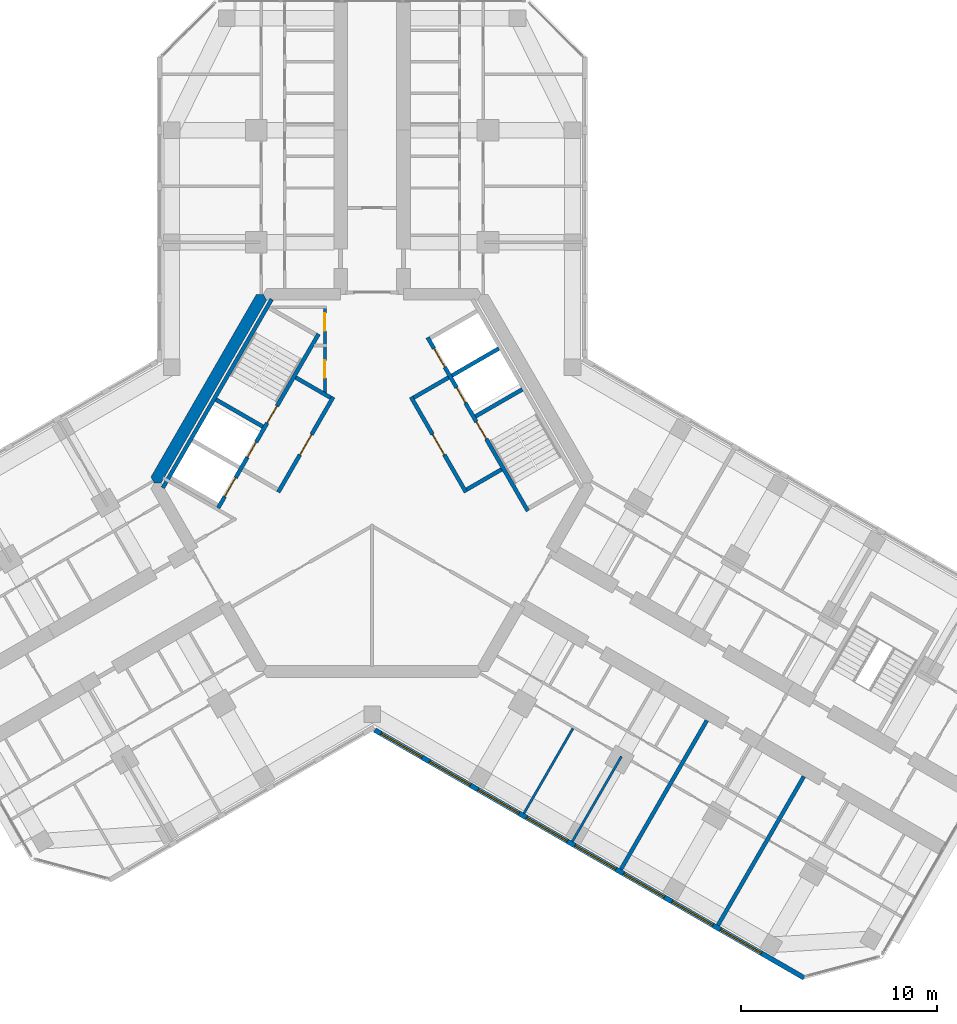
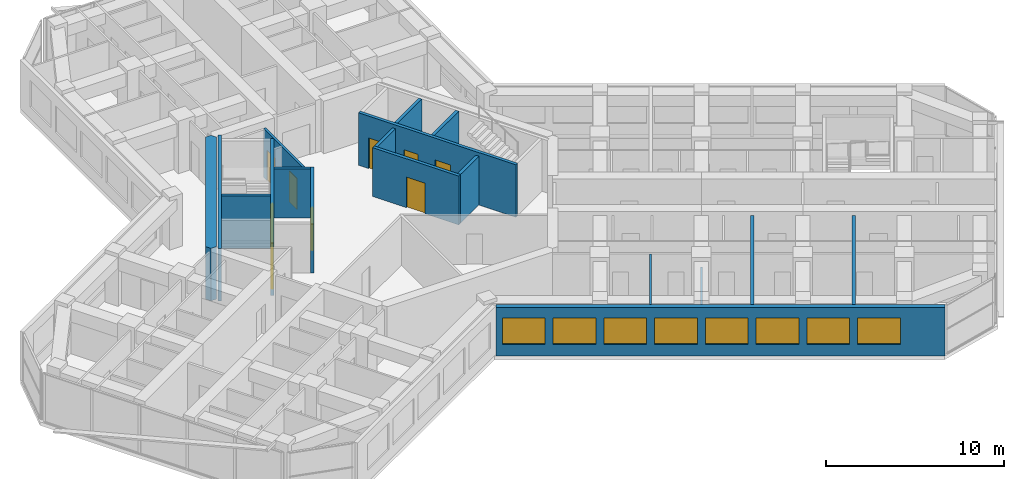
# One storey, part 10 of 16: 18 walls, 10 doors, 8 windows, 18 openings.
"""IFC4 building model written with IfcOpenShell, lengths in metres."""

from ifc_helpers import new_model, si_unit, direction, frame, frame_2d, origin, place, context, subcontext, project, spatial, polyline, rectangle, outline, extrude, material, layer, layer_set, type_object, element, fill, save


model = new_model("IFC4")

# Units and contexts
model_context = context("Model", 3, precision=1e-05, world=origin(), true_north=direction((0.0, 1.0)))
body_context = subcontext(model_context, "Body", "Model", "MODEL_VIEW")
ifc_project = project(units=[si_unit("LENGTHUNIT", "METRE"), si_unit("AREAUNIT", "SQUARE_METRE"), si_unit("VOLUMEUNIT", "CUBIC_METRE"), si_unit("PLANEANGLEUNIT", "RADIAN"), si_unit("MASSUNIT", "GRAM", prefix="KILO")], contexts=[model_context])

# Site, building, storey
site_placement = place(None, origin())
site = spatial("IfcSite", under=ifc_project, at=site_placement, CompositionType="ELEMENT")
building_placement = place(site_placement, origin())
building = spatial("IfcBuilding", under=site, at=building_placement, Name="Kosmar Iwan School Tower", CompositionType="ELEMENT")
storey_placement = place(building_placement, frame((0.0, 0.0, 231.60009765625)))
storey = spatial("IfcBuildingStorey", under=building, at=storey_placement, Name="L58", CompositionType="ELEMENT", Elevation=231.60009765625)

# Wall, openings, doors
ifc_material_1 = material(Name="Gypsum board on steel studs, fire-rated", Category="steel")
ifc_layer_1 = layer(ifc_material_1, 0.14990234375)
ifc_layer_set_1 = layer_set([ifc_layer_1], Name="Core room partition 150")
wall_type_1 = type_object("IfcWallType", Name="Core room partition 150", PredefinedType="PARTITIONING", material=ifc_layer_set_1)
wall_1_placement = place(storey_placement, frame((-2.39990234375, 9.014892578125, 0.0), z_axis=(0.0, 0.0, 1.0), x_axis=(0.0, -1.0, 0.0)))
wall_1 = element("IfcWall", 1, at=wall_1_placement, inside=storey, type_object=wall_type_1, Name="Core room partition L58-CW1", PredefinedType="PARTITIONING", context=body_context, shape_type="SweptSolid", body=[
    extrude(rectangle(XDim=4.484130859375, YDim=0.14990234375, at=frame_2d((2.2421875, 0.0))), origin(), (0.0, 0.0, 1.0), 3.349853515625),
])
opening_1_placement = place(wall_1_placement, frame((0.375, 0.0, 0.0)))
opening_1 = element("IfcOpeningElement", 2, at=opening_1_placement, cuts=wall_1, Name="Opening D14", PredefinedType="OPENING", context=body_context, shape_type="SweptSolid", body=[
    extrude(rectangle(XDim=0.89990234375, YDim=2.10009765625, at=frame_2d((0.449951171875, 1.050048828125))), frame((0.0, 0.0869140625, 0.0), z_axis=(0.0, -1.0, 0.0), x_axis=(1.0, 0.0, 0.0)), (0.0, 0.0, 1.0), 0.173828125),
])
opening_2_placement = place(wall_1_placement, frame((2.77490234375, 0.0, 0.0)))
opening_2 = element("IfcOpeningElement", 3, at=opening_2_placement, cuts=wall_1, Name="Opening D14", PredefinedType="OPENING", context=body_context, shape_type="SweptSolid", body=[
    extrude(rectangle(XDim=0.89990234375, YDim=2.10009765625, at=frame_2d((0.449951171875, 1.050048828125))), frame((0.0, 0.0869140625, 0.0), z_axis=(0.0, -1.0, 0.0), x_axis=(1.0, 0.0, 0.0)), (0.0, 0.0, 1.0), 0.173828125),
])
ifc_material_2 = material(Name="Timber fire door in steel frame", Category="steel")
door_type_1 = type_object("IfcDoorType", Name="Core room door 900x2100", OperationType="SINGLE_SWING_LEFT", PredefinedType="DOOR", material=ifc_material_2)
door_1_placement = place(opening_1_placement, origin())
door_1 = element("IfcDoor", 4, at=door_1_placement, inside=storey, type_object=door_type_1, Name="Electrical riser and switch room door L58 1", OperationType="SINGLE_SWING_LEFT", OverallHeight=2.10009765625, OverallWidth=0.89990234375, PredefinedType="DOOR", context=body_context, shape_type="SweptSolid", body=[
    extrude(rectangle(XDim=0.89990234375, YDim=2.10009765625, at=frame_2d((0.449951171875, 1.050048828125))), frame((0.0, 0.02490234375, 0.0), z_axis=(0.0, -1.0, 0.0), x_axis=(1.0, 0.0, 0.0)), (0.0, 0.0, 1.0), 0.050048828125),
])
fill(opening_1, door_1)
door_2_placement = place(opening_2_placement, origin())
door_2 = element("IfcDoor", 5, at=door_2_placement, inside=storey, type_object=door_type_1, Name="Plumbing and wet riser door L58 2", OperationType="SINGLE_SWING_RIGHT", OverallHeight=2.10009765625, OverallWidth=0.89990234375, PredefinedType="DOOR", context=body_context, shape_type="SweptSolid", body=[
    extrude(rectangle(XDim=0.89990234375, YDim=2.10009765625, at=frame_2d((0.449951171875, 1.050048828125))), frame((0.0, 0.02490234375, 0.0), z_axis=(0.0, -1.0, 0.0), x_axis=(1.0, 0.0, 0.0)), (0.0, 0.0, 1.0), 0.050048828125),
])
fill(opening_2, door_2)

# Walls
ifc_material_3 = material(Name="Concrete C50/60", Category="concrete")
ifc_layer_2 = layer(ifc_material_3, 0.60009765625)
ifc_layer_set_2 = layer_set([ifc_layer_2], Name="Core wall 600")
wall_type_2 = type_object("IfcWallType", Name="Core wall 600", PredefinedType="SHEAR", material=ifc_layer_set_2)
wall_2_placement = place(storey_placement, origin())
element("IfcWall", 6, at=wall_2_placement, inside=storey, type_object=wall_type_2, Name="Core wall F150", PredefinedType="SHEAR", context=body_context, shape_type="SweptSolid", body=[
    extrude(outline(polyline([(-11.085205078125, 0.0), (-10.73876953125, 0.0), (-5.369384765625, 9.300048828125), (-5.54248046875, 9.60009765625), (-5.888916015625, 9.60009765625), (-11.25830078125, 0.300048828125), (-11.085205078125, 0.0)])), origin(), (0.0, 0.0, 1.0), 3.599853515625),
])
ifc_material_4 = material(Name="Gypsum board on steel studs", Category="steel")
ifc_layer_3 = layer(ifc_material_4, 0.1201171875)
ifc_layer_set_3 = layer_set([ifc_layer_3], Name="Dwelling partition 120")
wall_type_3 = type_object("IfcWallType", Name="Dwelling partition 120", PredefinedType="PARTITIONING", material=ifc_layer_set_3)
wall_3_placement = place(storey_placement, frame((10.221923828125, -12.4951171875, 0.0), z_axis=(0.0, 0.0, 1.0), x_axis=(-0.499996339024, -0.86602751744, 0.0)))
element("IfcWall", 7, at=wall_3_placement, inside=storey, type_object=wall_type_3, Name="Partition L58-CR1-X1", PredefinedType="PARTITIONING", context=body_context, shape_type="SweptSolid", body=[
    extrude(rectangle(XDim=4.98974609375, YDim=0.1201171875, at=frame_2d((2.494873046875, 0.0))), origin(), (0.0, 0.0, 1.0), 3.349853515625),
])
wall_4_placement = place(storey_placement, frame((12.690185546875, -13.919921875, 0.0), z_axis=(0.0, 0.0, 1.0), x_axis=(-0.500011847778, -0.866018563358, 0.0)))
element("IfcWall", 8, at=wall_4_placement, inside=storey, type_object=wall_type_3, Name="Partition L58-CR1-X2", PredefinedType="PARTITIONING", context=body_context, shape_type="SweptSolid", body=[
    extrude(rectangle(XDim=4.990234375, YDim=0.1201171875, at=frame_2d((2.4951171875, 0.0))), origin(), (0.0, 0.0, 1.0), 2.449951171875),
])

# Wall, openings, windows
ifc_material_5 = material(Name="Black aluminium rainscreen on insulated framing", Category="aluminium")
ifc_layer_4 = layer(ifc_material_5, 0.25)
ifc_layer_set_4 = layer_set([ifc_layer_4], Name="External wall rainscreen 250")
wall_type_4 = type_object("IfcWallType", Name="External wall rainscreen 250", PredefinedType="SOLIDWALL", material=ifc_layer_set_4)
wall_5_placement = place(storey_placement, frame((0.137939453125, -12.5791015625, 0.0), z_axis=(0.0, 0.0, 1.0), x_axis=(0.866023775649, -0.500002820003, 0.0)))
wall_5 = element("IfcWall", 9, at=wall_5_placement, inside=storey, type_object=wall_type_4, Name="External wall CR L58", PredefinedType="SOLIDWALL", context=body_context, shape_type="SweptSolid", body=[
    extrude(rectangle(XDim=25.226318359375, YDim=0.25, at=frame_2d((12.61328125, 0.0))), origin(), (0.0, 0.0, 1.0), 3.349853515625),
])
opening_3_placement = place(wall_5_placement, frame((0.365966796875, 0.0, 0.800048828125)))
opening_3 = element("IfcOpeningElement", 10, at=opening_3_placement, cuts=wall_5, Name="Opening W5", PredefinedType="OPENING", context=body_context, shape_type="SweptSolid", body=[
    extrude(rectangle(XDim=2.39990234375, YDim=1.800048828125, at=frame_2d((1.199951171875, 0.89990234375))), frame((0.0, 0.136962890625, 0.0), z_axis=(0.0, -1.0, 0.0), x_axis=(1.0, 0.0, 0.0)), (0.0, 0.0, 1.0), 0.27392578125),
])
opening_4_placement = place(wall_5_placement, frame((3.216064453125, 0.0, 0.800048828125)))
opening_4 = element("IfcOpeningElement", 11, at=opening_4_placement, cuts=wall_5, Name="Opening W5", PredefinedType="OPENING", context=body_context, shape_type="SweptSolid", body=[
    extrude(rectangle(XDim=2.39990234375, YDim=1.800048828125, at=frame_2d((1.199951171875, 0.89990234375))), frame((0.0, 0.136962890625, 0.0), z_axis=(0.0, -1.0, 0.0), x_axis=(1.0, 0.0, 0.0)), (0.0, 0.0, 1.0), 0.27392578125),
])
opening_5_placement = place(wall_5_placement, frame((6.06591796875, 0.0, 0.800048828125)))
opening_5 = element("IfcOpeningElement", 12, at=opening_5_placement, cuts=wall_5, Name="Opening W5", PredefinedType="OPENING", context=body_context, shape_type="SweptSolid", body=[
    extrude(rectangle(XDim=2.39990234375, YDim=1.800048828125, at=frame_2d((1.199951171875, 0.89990234375))), frame((0.0, 0.136962890625, 0.0), z_axis=(0.0, -1.0, 0.0), x_axis=(1.0, 0.0, 0.0)), (0.0, 0.0, 1.0), 0.27392578125),
])
opening_6_placement = place(wall_5_placement, frame((8.916015625, 0.0, 0.800048828125)))
opening_6 = element("IfcOpeningElement", 13, at=opening_6_placement, cuts=wall_5, Name="Opening W5", PredefinedType="OPENING", context=body_context, shape_type="SweptSolid", body=[
    extrude(rectangle(XDim=2.39990234375, YDim=1.800048828125, at=frame_2d((1.199951171875, 0.89990234375))), frame((0.0, 0.136962890625, 0.0), z_axis=(0.0, -1.0, 0.0), x_axis=(1.0, 0.0, 0.0)), (0.0, 0.0, 1.0), 0.27392578125),
])
opening_7_placement = place(wall_5_placement, frame((11.76611328125, 0.0, 0.800048828125)))
opening_7 = element("IfcOpeningElement", 14, at=opening_7_placement, cuts=wall_5, Name="Opening W5", PredefinedType="OPENING", context=body_context, shape_type="SweptSolid", body=[
    extrude(rectangle(XDim=2.39990234375, YDim=1.800048828125, at=frame_2d((1.199951171875, 0.89990234375))), frame((0.0, 0.136962890625, 0.0), z_axis=(0.0, -1.0, 0.0), x_axis=(1.0, 0.0, 0.0)), (0.0, 0.0, 1.0), 0.27392578125),
])
opening_8_placement = place(wall_5_placement, frame((14.615966796875, 0.0, 0.800048828125)))
opening_8 = element("IfcOpeningElement", 15, at=opening_8_placement, cuts=wall_5, Name="Opening W5", PredefinedType="OPENING", context=body_context, shape_type="SweptSolid", body=[
    extrude(rectangle(XDim=2.39990234375, YDim=1.800048828125, at=frame_2d((1.199951171875, 0.89990234375))), frame((0.0, 0.136962890625, 0.0), z_axis=(0.0, -1.0, 0.0), x_axis=(1.0, 0.0, 0.0)), (0.0, 0.0, 1.0), 0.27392578125),
])
opening_9_placement = place(wall_5_placement, frame((17.466064453125, 0.0, 0.800048828125)))
opening_9 = element("IfcOpeningElement", 16, at=opening_9_placement, cuts=wall_5, Name="Opening W5", PredefinedType="OPENING", context=body_context, shape_type="SweptSolid", body=[
    extrude(rectangle(XDim=2.39990234375, YDim=1.800048828125, at=frame_2d((1.199951171875, 0.89990234375))), frame((0.0, 0.136962890625, 0.0), z_axis=(0.0, -1.0, 0.0), x_axis=(1.0, 0.0, 0.0)), (0.0, 0.0, 1.0), 0.27392578125),
])
opening_10_placement = place(wall_5_placement, frame((20.31591796875, 0.0, 0.800048828125)))
opening_10 = element("IfcOpeningElement", 17, at=opening_10_placement, cuts=wall_5, Name="Opening W5", PredefinedType="OPENING", context=body_context, shape_type="SweptSolid", body=[
    extrude(rectangle(XDim=2.39990234375, YDim=1.800048828125, at=frame_2d((1.199951171875, 0.89990234375))), frame((0.0, 0.136962890625, 0.0), z_axis=(0.0, -1.0, 0.0), x_axis=(1.0, 0.0, 0.0)), (0.0, 0.0, 1.0), 0.27392578125),
])
ifc_material_6 = material(Name="Black aluminium frame with dark triple glazing", Category="aluminium")
window_type = type_object("IfcWindowType", Name="Window 2400x1800", PartitioningType="SINGLE_PANEL", PredefinedType="WINDOW", material=ifc_material_6)
window_1_placement = place(opening_3_placement, origin())
window_1 = element("IfcWindow", 18, at=window_1_placement, inside=storey, type_object=window_type, Name="Window CR L58 -1", OverallHeight=1.800048828125, OverallWidth=2.39990234375, PartitioningType="SINGLE_PANEL", PredefinedType="WINDOW", context=body_context, shape_type="SweptSolid", body=[
    extrude(rectangle(XDim=2.39990234375, YDim=1.800048828125, at=frame_2d((1.199951171875, 0.89990234375))), frame((0.0, 0.030029296875, 0.0), z_axis=(0.0, -1.0, 0.0), x_axis=(1.0, 0.0, 0.0)), (0.0, 0.0, 1.0), 0.06005859375),
])
fill(opening_3, window_1)
window_2_placement = place(opening_4_placement, origin())
window_2 = element("IfcWindow", 19, at=window_2_placement, inside=storey, type_object=window_type, Name="Window CR L58 0", OverallHeight=1.800048828125, OverallWidth=2.39990234375, PartitioningType="SINGLE_PANEL", PredefinedType="WINDOW", context=body_context, shape_type="SweptSolid", body=[
    extrude(rectangle(XDim=2.39990234375, YDim=1.800048828125, at=frame_2d((1.199951171875, 0.89990234375))), frame((0.0, 0.030029296875, 0.0), z_axis=(0.0, -1.0, 0.0), x_axis=(1.0, 0.0, 0.0)), (0.0, 0.0, 1.0), 0.06005859375),
])
fill(opening_4, window_2)
window_3_placement = place(opening_5_placement, origin())
window_3 = element("IfcWindow", 20, at=window_3_placement, inside=storey, type_object=window_type, Name="Window CR L58 1", OverallHeight=1.800048828125, OverallWidth=2.39990234375, PartitioningType="SINGLE_PANEL", PredefinedType="WINDOW", context=body_context, shape_type="SweptSolid", body=[
    extrude(rectangle(XDim=2.39990234375, YDim=1.800048828125, at=frame_2d((1.199951171875, 0.89990234375))), frame((0.0, 0.030029296875, 0.0), z_axis=(0.0, -1.0, 0.0), x_axis=(1.0, 0.0, 0.0)), (0.0, 0.0, 1.0), 0.06005859375),
])
fill(opening_5, window_3)
window_4_placement = place(opening_6_placement, origin())
window_4 = element("IfcWindow", 21, at=window_4_placement, inside=storey, type_object=window_type, Name="Window CR L58 2", OverallHeight=1.800048828125, OverallWidth=2.39990234375, PartitioningType="SINGLE_PANEL", PredefinedType="WINDOW", context=body_context, shape_type="SweptSolid", body=[
    extrude(rectangle(XDim=2.39990234375, YDim=1.800048828125, at=frame_2d((1.199951171875, 0.89990234375))), frame((0.0, 0.030029296875, 0.0), z_axis=(0.0, -1.0, 0.0), x_axis=(1.0, 0.0, 0.0)), (0.0, 0.0, 1.0), 0.06005859375),
])
fill(opening_6, window_4)
window_5_placement = place(opening_7_placement, origin())
window_5 = element("IfcWindow", 22, at=window_5_placement, inside=storey, type_object=window_type, Name="Window CR L58 3", OverallHeight=1.800048828125, OverallWidth=2.39990234375, PartitioningType="SINGLE_PANEL", PredefinedType="WINDOW", context=body_context, shape_type="SweptSolid", body=[
    extrude(rectangle(XDim=2.39990234375, YDim=1.800048828125, at=frame_2d((1.199951171875, 0.89990234375))), frame((0.0, 0.030029296875, 0.0), z_axis=(0.0, -1.0, 0.0), x_axis=(1.0, 0.0, 0.0)), (0.0, 0.0, 1.0), 0.06005859375),
])
fill(opening_7, window_5)
window_6_placement = place(opening_8_placement, origin())
window_6 = element("IfcWindow", 23, at=window_6_placement, inside=storey, type_object=window_type, Name="Window CR L58 4", OverallHeight=1.800048828125, OverallWidth=2.39990234375, PartitioningType="SINGLE_PANEL", PredefinedType="WINDOW", context=body_context, shape_type="SweptSolid", body=[
    extrude(rectangle(XDim=2.39990234375, YDim=1.800048828125, at=frame_2d((1.199951171875, 0.89990234375))), frame((0.0, 0.030029296875, 0.0), z_axis=(0.0, -1.0, 0.0), x_axis=(1.0, 0.0, 0.0)), (0.0, 0.0, 1.0), 0.06005859375),
])
fill(opening_8, window_6)
window_7_placement = place(opening_9_placement, origin())
window_7 = element("IfcWindow", 24, at=window_7_placement, inside=storey, type_object=window_type, Name="Window CR L58 5", OverallHeight=1.800048828125, OverallWidth=2.39990234375, PartitioningType="SINGLE_PANEL", PredefinedType="WINDOW", context=body_context, shape_type="SweptSolid", body=[
    extrude(rectangle(XDim=2.39990234375, YDim=1.800048828125, at=frame_2d((1.199951171875, 0.89990234375))), frame((0.0, 0.030029296875, 0.0), z_axis=(0.0, -1.0, 0.0), x_axis=(1.0, 0.0, 0.0)), (0.0, 0.0, 1.0), 0.06005859375),
])
fill(opening_9, window_7)
window_8_placement = place(opening_10_placement, origin())
window_8 = element("IfcWindow", 25, at=window_8_placement, inside=storey, type_object=window_type, Name="Window CR L58 6", OverallHeight=1.800048828125, OverallWidth=2.39990234375, PartitioningType="SINGLE_PANEL", PredefinedType="WINDOW", context=body_context, shape_type="SweptSolid", body=[
    extrude(rectangle(XDim=2.39990234375, YDim=1.800048828125, at=frame_2d((1.199951171875, 0.89990234375))), frame((0.0, 0.030029296875, 0.0), z_axis=(0.0, -1.0, 0.0), x_axis=(1.0, 0.0, 0.0)), (0.0, 0.0, 1.0), 0.06005859375),
])
fill(opening_10, window_8)

# Wall, opening, door
ifc_material_7 = material(Name="Concrete block masonry", Category="masonry")
ifc_layer_5 = layer(ifc_material_7, 0.199951171875)
ifc_layer_set_5 = layer_set([ifc_layer_5], Name="Fire lobby wall 200")
wall_type_5 = type_object("IfcWallType", Name="Fire lobby wall 200", PredefinedType="PARTITIONING", material=ifc_layer_set_5)
wall_6_placement = place(storey_placement, frame((-1.9775390625, 4.374755859375, 0.0), z_axis=(0.0, 0.0, 1.0), x_axis=(-0.500016814911, -0.866015695474, 0.0)))
wall_6 = element("IfcWall", 26, at=wall_6_placement, inside=storey, type_object=wall_type_5, Name="Firefighting lobby wall ST2", PredefinedType="PARTITIONING", context=body_context, shape_type="SweptSolid", body=[
    extrude(rectangle(XDim=5.599853515625, YDim=0.199951171875, at=frame_2d((2.7998046875, 0.0))), origin(), (0.0, 0.0, 1.0), 3.349853515625),
])
opening_11_placement = place(wall_6_placement, frame((2.199951171875, 0.0, 0.0)))
opening_11 = element("IfcOpeningElement", 27, at=opening_11_placement, cuts=wall_6, Name="Opening D7", PredefinedType="OPENING", context=body_context, shape_type="SweptSolid", body=[
    extrude(rectangle(XDim=1.199951171875, YDim=2.10009765625, at=frame_2d((0.60009765625, 1.050048828125))), frame((0.0, 0.112060546875, 0.0), z_axis=(0.0, -1.0, 0.0), x_axis=(1.0, 0.0, 0.0)), (0.0, 0.0, 1.0), 0.223876953125),
])
ifc_material_8 = material(Name="Steel fire door", Category="steel")
door_type_2 = type_object("IfcDoorType", Name="Fire lobby door 1200x2100", OperationType="SINGLE_SWING_LEFT", PredefinedType="DOOR", material=ifc_material_8)
door_3_placement = place(opening_11_placement, origin())
door_3 = element("IfcDoor", 28, at=door_3_placement, inside=storey, type_object=door_type_2, Name="Firefighting lobby door ST2 L58", OperationType="SINGLE_SWING_LEFT", OverallHeight=2.10009765625, OverallWidth=1.199951171875, PredefinedType="DOOR", context=body_context, shape_type="SweptSolid", body=[
    extrude(rectangle(XDim=1.199951171875, YDim=2.10009765625, at=frame_2d((0.60009765625, 1.050048828125))), frame((0.0, 0.02490234375, 0.0), z_axis=(0.0, -1.0, 0.0), x_axis=(1.0, 0.0, 0.0)), (0.0, 0.0, 1.0), 0.050048828125),
])
fill(opening_11, door_3)

# Wall
wall_7_placement = place(storey_placement, frame((-2.114013671875, 4.33837890625, 0.0), z_axis=(0.0, 0.0, 1.0), x_axis=(-0.866050731258, 0.499956128963, 0.0)))
element("IfcWall", 29, at=wall_7_placement, inside=storey, type_object=wall_type_5, Name="Firefighting lobby wall ST2", PredefinedType="PARTITIONING", context=body_context, shape_type="SweptSolid", body=[
    extrude(rectangle(XDim=2.050048828125, YDim=0.199951171875, at=frame_2d((1.02490234375, 0.0))), origin(), (0.0, 0.0, 1.0), 3.349853515625),
])

# Wall, opening, door
wall_8_placement = place(storey_placement, frame((4.777587890625, -0.474853515625, 0.0), z_axis=(0.0, 0.0, 1.0), x_axis=(-0.500016814911, 0.866015695474, 0.0)))
wall_8 = element("IfcWall", 30, at=wall_8_placement, inside=storey, type_object=wall_type_5, Name="Firefighting lobby wall ST1", PredefinedType="PARTITIONING", context=body_context, shape_type="SweptSolid", body=[
    extrude(rectangle(XDim=5.599853515625, YDim=0.199951171875, at=frame_2d((2.7998046875, 0.0))), origin(), (0.0, 0.0, 1.0), 3.349853515625),
])
opening_12_placement = place(wall_8_placement, frame((2.199951171875, 0.0, 0.0)))
opening_12 = element("IfcOpeningElement", 31, at=opening_12_placement, cuts=wall_8, Name="Opening D7", PredefinedType="OPENING", context=body_context, shape_type="SweptSolid", body=[
    extrude(rectangle(XDim=1.199951171875, YDim=2.10009765625, at=frame_2d((0.60009765625, 1.050048828125))), frame((0.0, 0.112060546875, 0.0), z_axis=(0.0, -1.0, 0.0), x_axis=(1.0, 0.0, 0.0)), (0.0, 0.0, 1.0), 0.223876953125),
])
door_4_placement = place(opening_12_placement, origin())
door_4 = element("IfcDoor", 32, at=door_4_placement, inside=storey, type_object=door_type_2, Name="Firefighting lobby door ST1 L58", OperationType="SINGLE_SWING_LEFT", OverallHeight=2.10009765625, OverallWidth=1.199951171875, PredefinedType="DOOR", context=body_context, shape_type="SweptSolid", body=[
    extrude(rectangle(XDim=1.199951171875, YDim=2.10009765625, at=frame_2d((0.60009765625, 1.050048828125))), frame((0.0, 0.02490234375, 0.0), z_axis=(0.0, -1.0, 0.0), x_axis=(1.0, 0.0, 0.0)), (0.0, 0.0, 1.0), 0.050048828125),
])
fill(opening_12, door_4)

# Walls
wall_9_placement = place(storey_placement, frame((4.814208984375, -0.33837890625, 0.0), z_axis=(0.0, 0.0, 1.0), x_axis=(0.865969381856, 0.500097020274, 0.0)))
element("IfcWall", 33, at=wall_9_placement, inside=storey, type_object=wall_type_5, Name="Firefighting lobby wall ST1", PredefinedType="PARTITIONING", context=body_context, shape_type="SweptSolid", body=[
    extrude(rectangle(XDim=2.0498046875, YDim=0.199951171875, at=frame_2d((1.02490234375, 0.0))), origin(), (0.0, 0.0, 1.0), 3.349853515625),
])
wall_10_placement = place(storey_placement, frame((2.114013671875, 4.33837890625, 0.0), z_axis=(0.0, 0.0, 1.0), x_axis=(0.866050731258, 0.499956128963, 0.0)))
element("IfcWall", 34, at=wall_10_placement, inside=storey, type_object=wall_type_5, Name="Firefighting lobby wall ST1", PredefinedType="PARTITIONING", context=body_context, shape_type="SweptSolid", body=[
    extrude(rectangle(XDim=2.050048828125, YDim=0.199951171875, at=frame_2d((1.02490234375, 0.0))), origin(), (0.0, 0.0, 1.0), 3.349853515625),
])

# Wall, openings, doors
ifc_material_9 = material(Name="Concrete C50/60", Category="concrete")
ifc_layer_6 = layer(ifc_material_9, 0.199951171875)
ifc_layer_set_6 = layer_set([ifc_layer_6], Name="Lift shaft wall 200")
wall_type_6 = type_object("IfcWallType", Name="Lift shaft wall 200", PredefinedType="SHEAR", material=ifc_layer_set_6)
wall_11_placement = place(storey_placement, frame((-2.72607421875, 7.578369140625, 0.0), z_axis=(0.0, 0.0, 1.0), x_axis=(-0.499998717582, -0.866026144187, 0.0)))
wall_11 = element("IfcWall", 35, at=wall_11_placement, inside=storey, type_object=wall_type_6, Name="Lift and stair front wall AB", PredefinedType="SHEAR", context=body_context, shape_type="SweptSolid", body=[
    extrude(rectangle(XDim=10.22509765625, YDim=0.199951171875, at=frame_2d((5.112548828125, 0.0))), origin(), (0.0, 0.0, 1.0), 3.599853515625),
])
opening_13_placement = place(wall_11_placement, frame((6.35009765625, 0.0, 0.0)))
opening_13 = element("IfcOpeningElement", 36, at=opening_13_placement, cuts=wall_11, Name="Opening LD2", PredefinedType="OPENING", context=body_context, shape_type="SweptSolid", body=[
    extrude(rectangle(XDim=0.89990234375, YDim=2.10009765625, at=frame_2d((0.449951171875, 1.050048828125))), frame((0.0, 0.112060546875, 0.0), z_axis=(0.0, -1.0, 0.0), x_axis=(1.0, 0.0, 0.0)), (0.0, 0.0, 1.0), 0.223876953125),
])
opening_14_placement = place(wall_11_placement, frame((8.449951171875, 0.0, 0.0)))
opening_14 = element("IfcOpeningElement", 37, at=opening_14_placement, cuts=wall_11, Name="Opening LD1", PredefinedType="OPENING", context=body_context, shape_type="SweptSolid", body=[
    extrude(rectangle(XDim=1.10009765625, YDim=2.10009765625, at=frame_2d((0.550048828125, 1.050048828125))), frame((0.0, 0.112060546875, 0.0), z_axis=(0.0, -1.0, 0.0), x_axis=(1.0, 0.0, 0.0)), (0.0, 0.0, 1.0), 0.223876953125),
])
opening_15_placement = place(wall_11_placement, frame((4.22998046875, 0.0, 0.0)))
opening_15 = element("IfcOpeningElement", 38, at=opening_15_placement, cuts=wall_11, Name="Opening D6", PredefinedType="OPENING", context=body_context, shape_type="SweptSolid", body=[
    extrude(rectangle(XDim=1.0, YDim=2.10009765625, at=frame_2d((0.5, 1.050048828125))), frame((0.0, 0.112060546875, 0.0), z_axis=(0.0, -1.0, 0.0), x_axis=(1.0, 0.0, 0.0)), (0.0, 0.0, 1.0), 0.223876953125),
])
ifc_material_10 = material(Name="Stainless steel sliding lift door", Category="steel")
door_type_3 = type_object("IfcDoorType", Name="Firefighting lift landing door 900x2100", OperationType="SLIDING_TO_LEFT", PredefinedType="DOOR", material=ifc_material_10)
door_5_placement = place(opening_13_placement, origin())
door_5 = element("IfcDoor", 39, at=door_5_placement, inside=storey, type_object=door_type_3, Name="Lift FF2 landing door L58", OperationType="SLIDING_TO_LEFT", OverallHeight=2.10009765625, OverallWidth=0.89990234375, PredefinedType="DOOR", context=body_context, shape_type="SweptSolid", body=[
    extrude(rectangle(XDim=0.89990234375, YDim=2.10009765625, at=frame_2d((0.449951171875, 1.050048828125))), frame((0.0, 0.02490234375, 0.0), z_axis=(0.0, -1.0, 0.0), x_axis=(1.0, 0.0, 0.0)), (0.0, 0.0, 1.0), 0.050048828125),
])
fill(opening_13, door_5)
ifc_material_11 = material(Name="Stainless steel sliding lift door", Category="steel")
door_type_4 = type_object("IfcDoorType", Name="Lift landing door 1100x2100", OperationType="SLIDING_TO_LEFT", PredefinedType="DOOR", material=ifc_material_11)
door_6_placement = place(opening_14_placement, origin())
door_6 = element("IfcDoor", 40, at=door_6_placement, inside=storey, type_object=door_type_4, Name="Lift PL6 landing door L58", OperationType="SLIDING_TO_LEFT", OverallHeight=2.10009765625, OverallWidth=1.10009765625, PredefinedType="DOOR", context=body_context, shape_type="SweptSolid", body=[
    extrude(rectangle(XDim=1.10009765625, YDim=2.10009765625, at=frame_2d((0.550048828125, 1.050048828125))), frame((0.0, 0.02490234375, 0.0), z_axis=(0.0, -1.0, 0.0), x_axis=(1.0, 0.0, 0.0)), (0.0, 0.0, 1.0), 0.050048828125),
])
fill(opening_14, door_6)
ifc_material_12 = material(Name="Steel fire door", Category="steel")
door_type_5 = type_object("IfcDoorType", Name="Stair door 1000x2100", OperationType="SINGLE_SWING_LEFT", PredefinedType="DOOR", material=ifc_material_12)
door_7_placement = place(opening_15_placement, origin())
door_7 = element("IfcDoor", 41, at=door_7_placement, inside=storey, type_object=door_type_5, Name="Stair ST2 door L58", OperationType="SINGLE_SWING_LEFT", OverallHeight=2.10009765625, OverallWidth=1.0, PredefinedType="DOOR", context=body_context, shape_type="SweptSolid", body=[
    extrude(rectangle(XDim=1.0, YDim=2.10009765625, at=frame_2d((0.5, 1.050048828125))), frame((0.0, 0.02490234375, 0.0), z_axis=(0.0, -1.0, 0.0), x_axis=(1.0, 0.0, 0.0)), (0.0, 0.0, 1.0), 0.050048828125),
])
fill(opening_15, door_7)

# Wall
wall_12_placement = place(storey_placement, frame((-5.109619140625, 9.35009765625, 0.0), z_axis=(0.0, 0.0, 1.0), x_axis=(-0.499990629522, -0.866030813765, 0.0)))
element("IfcWall", 42, at=wall_12_placement, inside=storey, type_object=wall_type_6, Name="Lift and stair back wall AB", PredefinedType="SHEAR", context=body_context, shape_type="SweptSolid", body=[
    extrude(rectangle(XDim=11.085205078125, YDim=0.199951171875, at=frame_2d((5.54248046875, 0.0))), origin(), (0.0, 0.0, 1.0), 3.599853515625),
])

# Wall, openings, doors
wall_13_placement = place(storey_placement, frame((7.926025390625, -1.42822265625, 0.0), z_axis=(0.0, 0.0, 1.0), x_axis=(-0.499998023675, 0.866026544813, 0.0)))
wall_13 = element("IfcWall", 43, at=wall_13_placement, inside=storey, type_object=wall_type_6, Name="Lift and stair front wall AC", PredefinedType="SHEAR", context=body_context, shape_type="SweptSolid", body=[
    extrude(rectangle(XDim=10.19970703125, YDim=0.199951171875, at=frame_2d((5.099853515625, 0.0))), origin(), (0.0, 0.0, 1.0), 3.599853515625),
])
opening_16_placement = place(wall_13_placement, frame((6.35009765625, 0.0, 0.0)))
opening_16 = element("IfcOpeningElement", 44, at=opening_16_placement, cuts=wall_13, Name="Opening LD2", PredefinedType="OPENING", context=body_context, shape_type="SweptSolid", body=[
    extrude(rectangle(XDim=0.89990234375, YDim=2.10009765625, at=frame_2d((0.449951171875, 1.050048828125))), frame((0.0, 0.112060546875, 0.0), z_axis=(0.0, -1.0, 0.0), x_axis=(1.0, 0.0, 0.0)), (0.0, 0.0, 1.0), 0.223876953125),
])
opening_17_placement = place(wall_13_placement, frame((8.449951171875, 0.0, 0.0)))
opening_17 = element("IfcOpeningElement", 45, at=opening_17_placement, cuts=wall_13, Name="Opening LD1", PredefinedType="OPENING", context=body_context, shape_type="SweptSolid", body=[
    extrude(rectangle(XDim=1.10009765625, YDim=2.10009765625, at=frame_2d((0.550048828125, 1.050048828125))), frame((0.0, 0.112060546875, 0.0), z_axis=(0.0, -1.0, 0.0), x_axis=(1.0, 0.0, 0.0)), (0.0, 0.0, 1.0), 0.223876953125),
])
opening_18_placement = place(wall_13_placement, frame((4.22998046875, 0.0, 0.0)))
opening_18 = element("IfcOpeningElement", 46, at=opening_18_placement, cuts=wall_13, Name="Opening D6", PredefinedType="OPENING", context=body_context, shape_type="SweptSolid", body=[
    extrude(rectangle(XDim=1.0, YDim=2.10009765625, at=frame_2d((0.5, 1.050048828125))), frame((0.0, 0.112060546875, 0.0), z_axis=(0.0, -1.0, 0.0), x_axis=(1.0, 0.0, 0.0)), (0.0, 0.0, 1.0), 0.223876953125),
])
door_8_placement = place(opening_16_placement, origin())
door_8 = element("IfcDoor", 47, at=door_8_placement, inside=storey, type_object=door_type_3, Name="Lift FF1 landing door L58", OperationType="SLIDING_TO_LEFT", OverallHeight=2.10009765625, OverallWidth=0.89990234375, PredefinedType="DOOR", context=body_context, shape_type="SweptSolid", body=[
    extrude(rectangle(XDim=0.89990234375, YDim=2.10009765625, at=frame_2d((0.449951171875, 1.050048828125))), frame((0.0, 0.02490234375, 0.0), z_axis=(0.0, -1.0, 0.0), x_axis=(1.0, 0.0, 0.0)), (0.0, 0.0, 1.0), 0.050048828125),
])
fill(opening_16, door_8)
door_9_placement = place(opening_17_placement, origin())
door_9 = element("IfcDoor", 48, at=door_9_placement, inside=storey, type_object=door_type_4, Name="Lift PL5 landing door L58", OperationType="SLIDING_TO_LEFT", OverallHeight=2.10009765625, OverallWidth=1.10009765625, PredefinedType="DOOR", context=body_context, shape_type="SweptSolid", body=[
    extrude(rectangle(XDim=1.10009765625, YDim=2.10009765625, at=frame_2d((0.550048828125, 1.050048828125))), frame((0.0, 0.02490234375, 0.0), z_axis=(0.0, -1.0, 0.0), x_axis=(1.0, 0.0, 0.0)), (0.0, 0.0, 1.0), 0.050048828125),
])
fill(opening_17, door_9)
door_10_placement = place(opening_18_placement, origin())
door_10 = element("IfcDoor", 49, at=door_10_placement, inside=storey, type_object=door_type_5, Name="Stair ST1 door L58", OperationType="SINGLE_SWING_LEFT", OverallHeight=2.10009765625, OverallWidth=1.0, PredefinedType="DOOR", context=body_context, shape_type="SweptSolid", body=[
    extrude(rectangle(XDim=1.0, YDim=2.10009765625, at=frame_2d((0.5, 1.050048828125))), frame((0.0, 0.02490234375, 0.0), z_axis=(0.0, -1.0, 0.0), x_axis=(1.0, 0.0, 0.0)), (0.0, 0.0, 1.0), 0.050048828125),
])
fill(opening_18, door_10)

# Walls
wall_14_placement = place(storey_placement, frame((4.062744140625, 5.46337890625, 0.0), z_axis=(0.0, 0.0, 1.0), x_axis=(0.866027397988, 0.499996545922, 0.0)))
element("IfcWall", 50, at=wall_14_placement, inside=storey, type_object=wall_type_6, Name="Lift shaft wall AC 1", PredefinedType="SHEAR", context=body_context, shape_type="SweptSolid", body=[
    extrude(rectangle(XDim=2.75, YDim=0.199951171875, at=frame_2d((1.375, 0.0))), origin(), (0.0, 0.0, 1.0), 3.599853515625),
])
ifc_material_13 = material(Name="Concrete block masonry", Category="masonry")
ifc_layer_7 = layer(ifc_material_13, 0.199951171875)
ifc_layer_set_7 = layer_set([ifc_layer_7], Name="Party wall 200")
wall_type_7 = type_object("IfcWallType", Name="Party wall 200", PredefinedType="PARTITIONING", material=ifc_layer_set_7)
for number, where, z_axis, x_axis, name in (
    (51, (17.038330078125, -12.088623046875, 0.0), (0.0, 0.0, 1.0), (-0.499992152613, -0.866029934428, 0.0), "Partition L58-CR2-PW"),
    (52, (21.974609375, -14.938720703125, 0.0), (0.0, 0.0, 1.0), (-0.499992152613, -0.866029934428, 0.0), "Partition L58-CR3-PW"),
):
    element("IfcWall", number, at=place(storey_placement, frame(where, z_axis=z_axis, x_axis=x_axis)), inside=storey, type_object=wall_type_7, Name=name, PredefinedType="PARTITIONING", context=body_context, shape_type="SweptSolid", body=[
        extrude(rectangle(XDim=8.750244140625, YDim=0.199951171875, at=frame_2d((4.375, 0.0))), origin(), (0.0, 0.0, 1.0), 3.349853515625),
    ])
ifc_material_14 = material(Name="Concrete C50/60", Category="concrete")
ifc_layer_8 = layer(ifc_material_14, 0.199951171875)
ifc_layer_set_8 = layer_set([ifc_layer_8], Name="Stair enclosure wall 200")
wall_type_8 = type_object("IfcWallType", Name="Stair enclosure wall 200", PredefinedType="SHEAR", material=ifc_layer_set_8)
for number, where, z_axis, x_axis, name in (
    (53, (-5.562744140625, 2.865234375, 0.0), (0.0, 0.0, 1.0), (-0.866027397988, 0.499996545922, 0.0), "Stair ST2 wall"),
    (54, (5.2626953125, 3.384765625, 0.0), (0.0, 0.0, 1.0), (0.866027397988, 0.499996545922, 0.0), "Stair ST1 wall"),
):
    element("IfcWall", number, at=place(storey_placement, frame(where, z_axis=z_axis, x_axis=x_axis)), inside=storey, type_object=wall_type_8, Name=name, PredefinedType="SHEAR", context=body_context, shape_type="SweptSolid", body=[
        extrude(rectangle(XDim=2.75, YDim=0.199951171875, at=frame_2d((1.375, 0.0))), origin(), (0.0, 0.0, 1.0), 3.599853515625),
    ])

save(model, "model.ifc")
